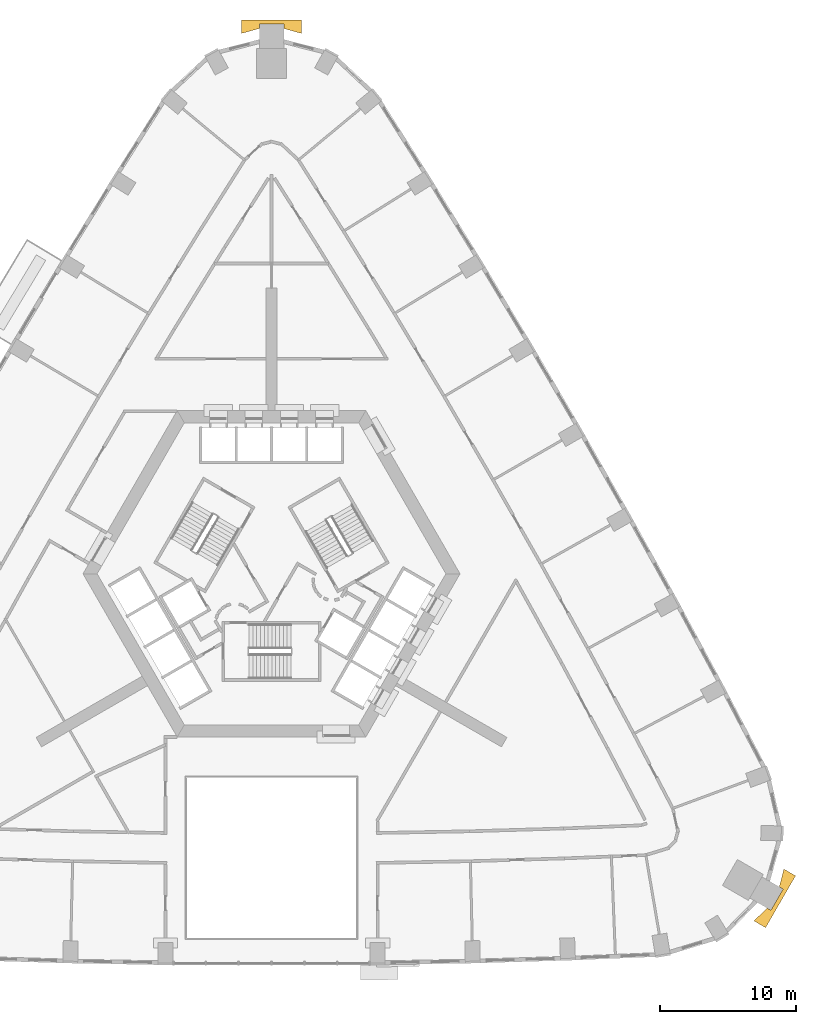
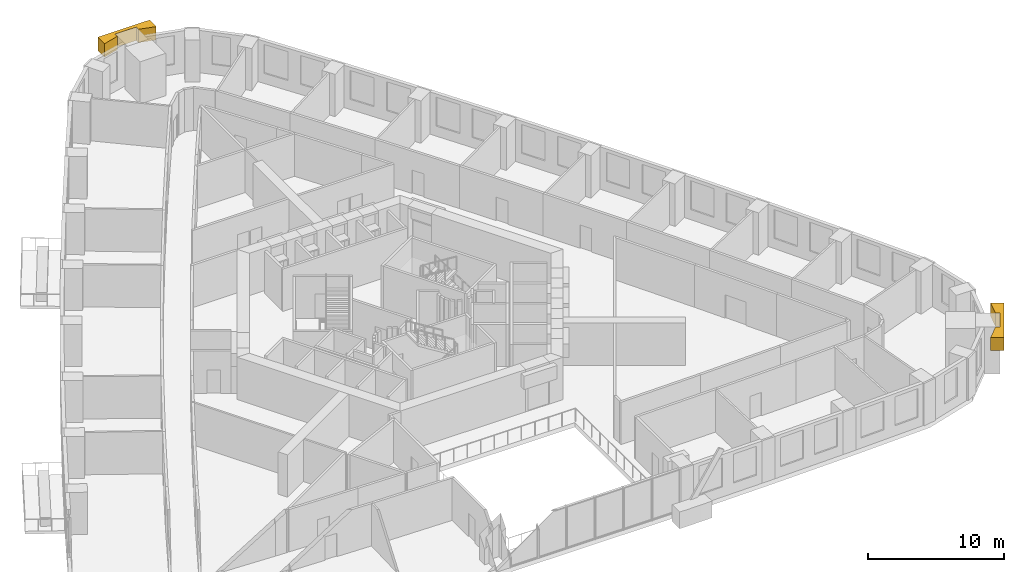
# One storey, part 16 of 16: 2 coverings.
"""IFC4 building model written with IfcOpenShell, lengths in metres."""

from ifc_helpers import new_model, si_unit, direction, frame, origin, place, context, subcontext, project, spatial, polyline, outline, extrude, material, type_object, element, save


model = new_model("IFC4")

# Units and contexts
model_context = context("Model", 3, precision=1e-05, world=origin(), true_north=direction((0.0, 1.0)))
body_context = subcontext(model_context, "Body", "Model", "MODEL_VIEW")
ifc_project = project(units=[si_unit("LENGTHUNIT", "METRE"), si_unit("AREAUNIT", "SQUARE_METRE"), si_unit("VOLUMEUNIT", "CUBIC_METRE"), si_unit("PLANEANGLEUNIT", "RADIAN"), si_unit("MASSUNIT", "GRAM", prefix="KILO")], contexts=[model_context])

# Site, building, storey
site_placement = place(None, origin())
site = spatial("IfcSite", under=ifc_project, at=site_placement, CompositionType="ELEMENT")
building_placement = place(site_placement, origin())
building = spatial("IfcBuilding", under=site, at=building_placement, Name="Entoto Arch Interchange Tower", CompositionType="ELEMENT")
storey_placement = place(building_placement, frame((0.0, 0.0, 95.0)))
storey = spatial("IfcBuildingStorey", under=building, at=storey_placement, Name="L20", CompositionType="ELEMENT", Elevation=95.0)

# Coverings
ifc_material = material(Name="Board-marked precast concrete C50/60", Category="concrete")
covering_type = type_object("IfcCoveringType", Name="PRECAST FRAME COURSE", PredefinedType="CLADDING", material=ifc_material)
covering_1_placement = place(storey_placement, frame((0.0, 0.0, 2.60009765625)))
element("IfcCovering", 1, at=covering_1_placement, inside=storey, type_object=covering_type, Name="Corner pilaster head SE L18-L20", PredefinedType="CLADDING", context=body_context, shape_type="SweptSolid", body=[
    extrude(outline(polyline([(38.51611328125, -19.697998046875), (36.31591796875, -23.508056640625), (35.4619140625, -23.014892578125), (36.423095703125, -22.069091796875), (36.7060546875, -22.23193359375), (37.60595703125, -20.674072265625), (37.323974609375, -20.510009765625), (37.662109375, -19.205078125), (38.51611328125, -19.697998046875)])), origin(), (0.0, 0.0, 1.0), 1.199951171875),
])
covering_2_placement = place(storey_placement, frame((0.0, 0.0, 2.60009765625)))
element("IfcCovering", 2, at=covering_2_placement, inside=storey, type_object=covering_type, Name="Corner pilaster head N L18-L20", PredefinedType="CLADDING", context=body_context, shape_type="SweptSolid", body=[
    extrude(outline(polyline([(-2.199951171875, 43.205078125), (2.199951171875, 43.205078125), (2.199951171875, 42.218994140625), (0.89990234375, 42.577880859375), (0.89990234375, 42.905029296875), (-0.89990234375, 42.905029296875), (-0.89990234375, 42.577880859375), (-2.199951171875, 42.218994140625), (-2.199951171875, 43.205078125)])), origin(), (0.0, 0.0, 1.0), 1.199951171875),
])

save(model, "model.ifc")
